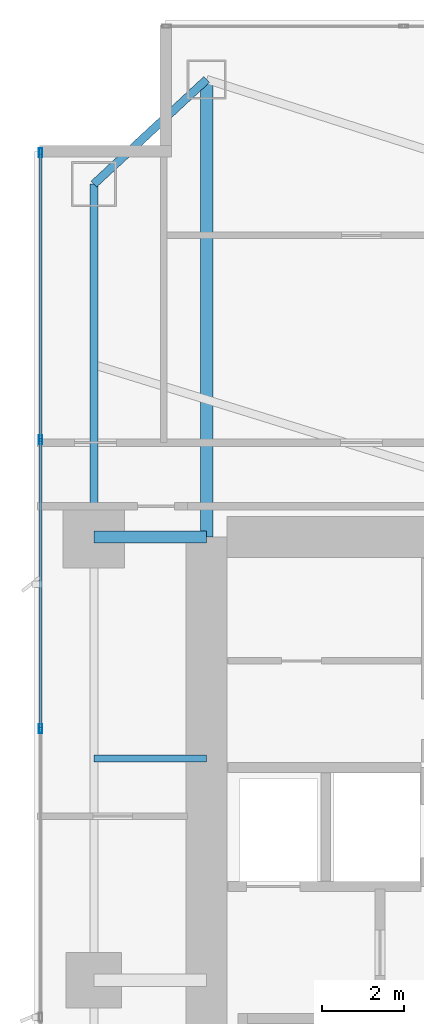
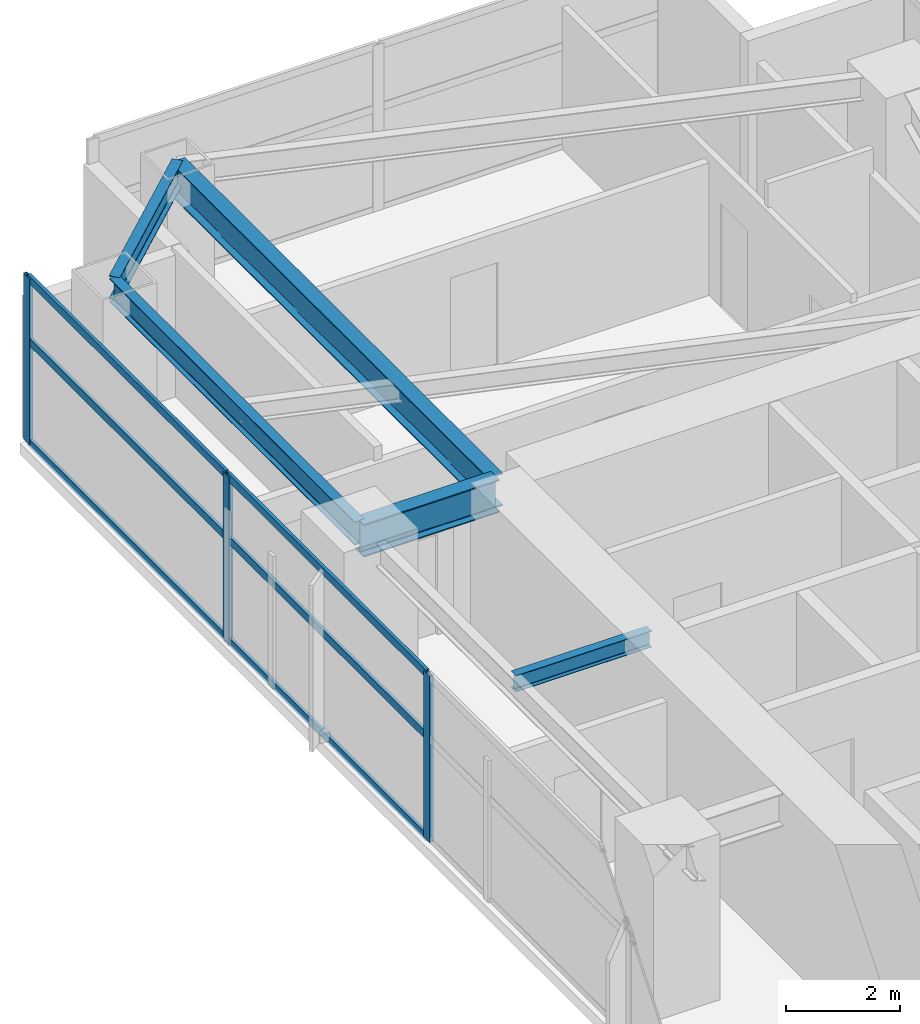
# One storey, part 16 of 29: 9 members, 5 beams, 1 element without a shape of its own.
"""IFC4 building model written with IfcOpenShell, lengths in metres."""

from ifc_helpers import new_model, si_unit, direction, frame, origin, origin_2d, place, context, subcontext, project, spatial, hollow_rectangle, i_section, extrude, material, layer, layer_set, material_profile, profile_set, type_object, element, aggregate, save


model = new_model("IFC4")

# Units and contexts
model_context = context("Model", 3, precision=1e-05, world=origin(), true_north=direction((0.0, 1.0)))
body_context = subcontext(model_context, "Body", "Model", "MODEL_VIEW")
ifc_project = project(units=[si_unit("LENGTHUNIT", "METRE"), si_unit("AREAUNIT", "SQUARE_METRE"), si_unit("VOLUMEUNIT", "CUBIC_METRE"), si_unit("PLANEANGLEUNIT", "RADIAN"), si_unit("MASSUNIT", "GRAM", prefix="KILO")], contexts=[model_context])

# Site, building, storey
site_placement = place(None, origin())
site = spatial("IfcSite", under=ifc_project, at=site_placement, CompositionType="ELEMENT")
building_placement = place(site_placement, origin())
building = spatial("IfcBuilding", under=site, at=building_placement, Name="Calvorn Quay Hotel", CompositionType="ELEMENT")
storey_placement = place(building_placement, frame((0.0, 0.0, 85.0)))
storey = spatial("IfcBuildingStorey", under=building, at=storey_placement, Name="L20", CompositionType="ELEMENT", Elevation=85.0)

# Beams
ifc_material_1 = material(Name="Steel Q390GJC", Category="steel")
ifc_material_profile_1 = material_profile(ifc_material_1, i_section(OverallWidth=0.300048828125, OverallDepth=0.699951171875, WebThickness=0.012939453125, FlangeThickness=0.02392578125, FilletRadius=0.02392578125, at=origin_2d()), Name="HN700x300x13x24")
ifc_profile_set_1 = profile_set([ifc_material_profile_1], Name="Steel Q390GJC")
beam_type_1 = type_object("IfcBeamType", Name="BM-GIRD-MAIN", PredefinedType="BEAM", material=ifc_profile_set_1)
beam_1_placement = place(storey_placement, frame((1.449951171875, 38.39990234375, 3.18994140625), z_axis=(1.0, 0.0, 0.0), x_axis=(0.0, 1.0, 0.0)))
element("IfcBeam", 1, at=beam_1_placement, inside=storey, type_object=beam_type_1, Name="Beam BG-L20-W3", PredefinedType="BEAM", context=body_context, shape_type="SweptSolid", body=[
    extrude(i_section(OverallWidth=0.300048828125, OverallDepth=0.699951171875, WebThickness=0.012939453125, FlangeThickness=0.02392578125, FilletRadius=0.02392578125, at=origin_2d()), origin(), (0.0, 0.0, 1.0), 2.75),
])
beam_2_placement = place(storey_placement, frame((4.199951171875, 49.550048828125, 3.18994140625), z_axis=(0.0, -1.0, 0.0), x_axis=(1.0, 0.0, 0.0)))
element("IfcBeam", 2, at=beam_2_placement, inside=storey, type_object=beam_type_1, Name="Beam BG-L20-W5", PredefinedType="BEAM", context=body_context, shape_type="SweptSolid", body=[
    extrude(i_section(OverallWidth=0.300048828125, OverallDepth=0.699951171875, WebThickness=0.012939453125, FlangeThickness=0.02392578125, FilletRadius=0.02392578125, at=origin_2d()), origin(), (0.0, 0.0, 1.0), 11.150146484375),
])
ifc_material_2 = material(Name="Steel Q355B", Category="steel")
ifc_material_profile_2 = material_profile(ifc_material_2, i_section(OverallWidth=0.175048828125, OverallDepth=0.35009765625, WebThickness=0.007080078125, FlangeThickness=0.010986328125, FilletRadius=0.013916015625, at=origin_2d()), Name="HN350x175x7x11")
ifc_profile_set_2 = profile_set([ifc_material_profile_2], Name="Steel Q355B")
beam_type_2 = type_object("IfcBeamType", Name="BM-JOIST-SEC", PredefinedType="JOIST", material=ifc_profile_set_2)
beam_3_placement = place(storey_placement, frame((1.449951171875, 33.0, 3.364990234375), z_axis=(1.0, 0.0, 0.0), x_axis=(0.0, 1.0, 0.0)))
element("IfcBeam", 3, at=beam_3_placement, inside=storey, type_object=beam_type_2, Name="Beam BJ-L20-W4", PredefinedType="JOIST", context=body_context, shape_type="SweptSolid", body=[
    extrude(i_section(OverallWidth=0.175048828125, OverallDepth=0.35009765625, WebThickness=0.007080078125, FlangeThickness=0.010986328125, FilletRadius=0.013916015625, at=origin_2d()), origin(), (0.0, 0.0, 1.0), 2.75),
])
ifc_material_3 = material(Name="Steel Q355B", Category="steel")
ifc_material_profile_3 = material_profile(ifc_material_3, i_section(OverallWidth=0.199951171875, OverallDepth=0.5, WebThickness=0.010009765625, FlangeThickness=0.01611328125, FilletRadius=0.01611328125, at=origin_2d()), Name="HN500x200x10x16")
ifc_profile_set_3 = profile_set([ifc_material_profile_3], Name="Steel Q355B")
beam_type_3 = type_object("IfcBeamType", Name="BM-SPANDREL-Z1", PredefinedType="SPANDREL", material=ifc_profile_set_3)
beam_4_placement = place(storey_placement, frame((1.449951171875, 38.39990234375, 3.2900390625), z_axis=(0.0, 1.0, 0.0), x_axis=(-1.0, 0.0, 0.0)))
element("IfcBeam", 4, at=beam_4_placement, inside=storey, type_object=beam_type_3, Name="Beam BSP-L20-W4", PredefinedType="SPANDREL", context=body_context, shape_type="SweptSolid", body=[
    extrude(i_section(OverallWidth=0.199951171875, OverallDepth=0.5, WebThickness=0.010009765625, FlangeThickness=0.01611328125, FilletRadius=0.01611328125, at=origin_2d()), origin(), (0.0, 0.0, 1.0), 8.60009765625),
])
beam_5_placement = place(storey_placement, frame((1.449951171875, 47.0, 3.2900390625), z_axis=(0.733261665538, 0.679946563969, 0.0), x_axis=(-0.679946563969, 0.733261665538, 0.0)))
element("IfcBeam", 5, at=beam_5_placement, inside=storey, type_object=beam_type_3, Name="Beam BSP-L20-W5", PredefinedType="SPANDREL", context=body_context, shape_type="SweptSolid", body=[
    extrude(i_section(OverallWidth=0.199951171875, OverallDepth=0.5, WebThickness=0.010009765625, FlangeThickness=0.01611328125, FilletRadius=0.01611328125, at=origin_2d()), origin(), (0.0, 0.0, 1.0), 3.75048828125),
])

# Curtain wall, members
ifc_material_4 = material(Name="Pale Anodised Aluminium and Low-E Glass", Category="aluminium")
ifc_layer = layer(ifc_material_4, 0.219970703125)
ifc_layer_set = layer_set([ifc_layer], Name="CW-SYS-Z1")
curtain_wall_type = type_object("IfcCurtainWallType", Name="CW-SYS-Z1", PredefinedType="NOTDEFINED", material=ifc_layer_set)
curtain_wall_placement = place(storey_placement, origin())
curtain_wall = element("IfcCurtainWall", 6, at=curtain_wall_placement, inside=storey, type_object=curtain_wall_type, Name="Tower West Curtain Wall (L20)", PredefinedType="NOTDEFINED")
ifc_material_5 = material(Name="Pale Anodised Aluminium 6063-T6", Category="aluminium")
ifc_material_profile_4 = material_profile(ifc_material_5, hollow_rectangle(XDim=0.074951171875, YDim=0.219970703125, WallThickness=0.00439453125, at=origin_2d()), Name="ALU-M220x75x4.5")
ifc_profile_set_4 = profile_set([ifc_material_profile_4], Name="Pale Anodised Aluminium 6063-T6")
member_type_1 = type_object("IfcMemberType", Name="CW-SYS-Z1-MUL", PredefinedType="MULLION", material=ifc_profile_set_4)
member_1_placement = place(storey_placement, frame((0.14990234375, 33.7333984375, 0.0), z_axis=(0.0, 0.0, 1.0), x_axis=(-1.0, 0.0, 0.0)))
member_1 = element("IfcMember", 7, at=member_1_placement, type_object=member_type_1, Name="CW-L20-W mullion 5", PredefinedType="MULLION", context=body_context, shape_type="SweptSolid", body=[
    extrude(hollow_rectangle(XDim=0.074951171875, YDim=0.219970703125, WallThickness=0.00439453125, at=origin_2d()), origin(), (0.0, 0.0, 1.0), 3.56005859375),
])
member_2_placement = place(storey_placement, frame((0.14990234375, 40.7666015625, 0.0), z_axis=(0.0, 0.0, 1.0), x_axis=(-1.0, 0.0, 0.0)))
member_2 = element("IfcMember", 8, at=member_2_placement, type_object=member_type_1, Name="CW-L20-W mullion 6", PredefinedType="MULLION", context=body_context, shape_type="SweptSolid", body=[
    extrude(hollow_rectangle(XDim=0.074951171875, YDim=0.219970703125, WallThickness=0.00439453125, at=origin_2d()), origin(), (0.0, 0.0, 1.0), 3.56005859375),
])
member_3_placement = place(storey_placement, frame((0.14990234375, 47.77001953125, 0.0), z_axis=(0.0, 0.0, 1.0), x_axis=(-1.0, 0.0, 0.0)))
member_3 = element("IfcMember", 9, at=member_3_placement, type_object=member_type_1, Name="CW-L20-W mullion 7", PredefinedType="MULLION", context=body_context, shape_type="SweptSolid", body=[
    extrude(hollow_rectangle(XDim=0.074951171875, YDim=0.219970703125, WallThickness=0.00439453125, at=origin_2d()), origin(), (0.0, 0.0, 1.0), 3.56005859375),
])
ifc_material_6 = material(Name="Pale Anodised Aluminium 6063-T6", Category="aluminium")
ifc_material_profile_5 = material_profile(ifc_material_6, hollow_rectangle(XDim=0.06494140625, YDim=0.1650390625, WallThickness=0.00341796875, at=origin_2d()), Name="ALU-T165x65x3.5")
ifc_profile_set_5 = profile_set([ifc_material_profile_5], Name="Pale Anodised Aluminium 6063-T6")
member_type_2 = type_object("IfcMemberType", Name="CW-SYS-Z1-TRN", PredefinedType="USERDEFINED", material=ifc_profile_set_5)
member_4_placement = place(storey_placement, frame((0.14990234375, 33.763427734375, 0.030029296875), z_axis=(0.0, 1.0, 0.0), x_axis=(-1.0, 0.0, 0.0)))
member_4 = element("IfcMember", 10, at=member_4_placement, type_object=member_type_2, Name="CW-L20-W transom 5.1", ObjectType="TRANSOM", PredefinedType="USERDEFINED", context=body_context, shape_type="SweptSolid", body=[
    extrude(hollow_rectangle(XDim=0.06494140625, YDim=0.1650390625, WallThickness=0.00341796875, at=origin_2d()), origin(), (0.0, 0.0, 1.0), 6.97314453125),
])
member_5_placement = place(storey_placement, frame((0.14990234375, 33.763427734375, 2.199951171875), z_axis=(0.0, 1.0, 0.0), x_axis=(-1.0, 0.0, 0.0)))
member_5 = element("IfcMember", 11, at=member_5_placement, type_object=member_type_2, Name="CW-L20-W transom 5.2", ObjectType="TRANSOM", PredefinedType="USERDEFINED", context=body_context, shape_type="SweptSolid", body=[
    extrude(hollow_rectangle(XDim=0.06494140625, YDim=0.1650390625, WallThickness=0.00341796875, at=origin_2d()), origin(), (0.0, 0.0, 1.0), 6.97314453125),
])
member_6_placement = place(storey_placement, frame((0.14990234375, 33.763427734375, 3.530029296875), z_axis=(0.0, 1.0, 0.0), x_axis=(-1.0, 0.0, 0.0)))
member_6 = element("IfcMember", 12, at=member_6_placement, type_object=member_type_2, Name="CW-L20-W transom 5.3", ObjectType="TRANSOM", PredefinedType="USERDEFINED", context=body_context, shape_type="SweptSolid", body=[
    extrude(hollow_rectangle(XDim=0.06494140625, YDim=0.1650390625, WallThickness=0.00341796875, at=origin_2d()), origin(), (0.0, 0.0, 1.0), 6.97314453125),
])
member_7_placement = place(storey_placement, frame((0.14990234375, 40.796630859375, 0.030029296875), z_axis=(0.0, 1.0, 0.0), x_axis=(-1.0, 0.0, 0.0)))
member_7 = element("IfcMember", 13, at=member_7_placement, type_object=member_type_2, Name="CW-L20-W transom 6.1", ObjectType="TRANSOM", PredefinedType="USERDEFINED", context=body_context, shape_type="SweptSolid", body=[
    extrude(hollow_rectangle(XDim=0.06494140625, YDim=0.1650390625, WallThickness=0.00341796875, at=origin_2d()), origin(), (0.0, 0.0, 1.0), 6.943359375),
])
member_8_placement = place(storey_placement, frame((0.14990234375, 40.796630859375, 2.199951171875), z_axis=(0.0, 1.0, 0.0), x_axis=(-1.0, 0.0, 0.0)))
member_8 = element("IfcMember", 14, at=member_8_placement, type_object=member_type_2, Name="CW-L20-W transom 6.2", ObjectType="TRANSOM", PredefinedType="USERDEFINED", context=body_context, shape_type="SweptSolid", body=[
    extrude(hollow_rectangle(XDim=0.06494140625, YDim=0.1650390625, WallThickness=0.00341796875, at=origin_2d()), origin(), (0.0, 0.0, 1.0), 6.943359375),
])
member_9_placement = place(storey_placement, frame((0.14990234375, 40.796630859375, 3.530029296875), z_axis=(0.0, 1.0, 0.0), x_axis=(-1.0, 0.0, 0.0)))
member_9 = element("IfcMember", 15, at=member_9_placement, type_object=member_type_2, Name="CW-L20-W transom 6.3", ObjectType="TRANSOM", PredefinedType="USERDEFINED", context=body_context, shape_type="SweptSolid", body=[
    extrude(hollow_rectangle(XDim=0.06494140625, YDim=0.1650390625, WallThickness=0.00341796875, at=origin_2d()), origin(), (0.0, 0.0, 1.0), 6.943359375),
])
aggregate(curtain_wall, [member_1, member_2, member_3, member_4, member_5, member_6, member_7, member_8, member_9])

save(model, "model.ifc")
